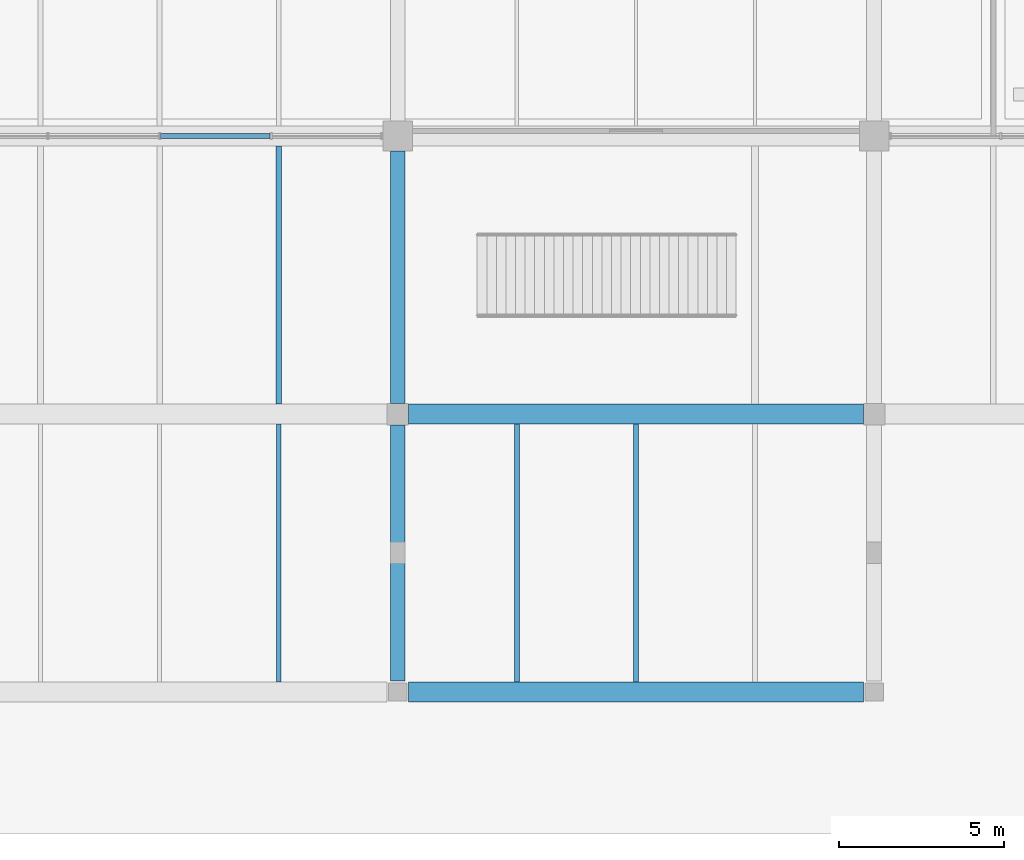
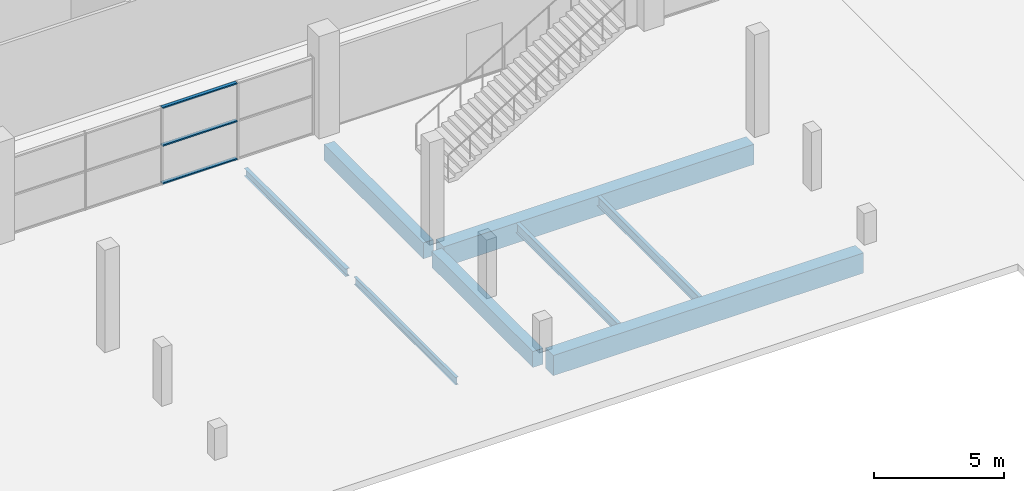
# One storey, part 46 of 130: 8 beams, 3 members, 1 element without a shape of its own.
"""IFC4 building model written with IfcOpenShell, lengths in metres."""

from ifc_helpers import new_model, si_unit, direction, frame, origin, origin_2d, place, context, subcontext, project, spatial, rectangle, hollow_rectangle, i_section, extrude, material, material_profile, profile_set, type_object, element, aggregate, save


model = new_model("IFC4")

# Units and contexts
model_context = context("Model", 3, precision=1e-05, world=origin(), true_north=direction((0.0, 1.0)))
body_context = subcontext(model_context, "Body", "Model", "MODEL_VIEW")
ifc_project = project(units=[si_unit("LENGTHUNIT", "METRE"), si_unit("AREAUNIT", "SQUARE_METRE"), si_unit("VOLUMEUNIT", "CUBIC_METRE"), si_unit("PLANEANGLEUNIT", "RADIAN"), si_unit("MASSUNIT", "GRAM", prefix="KILO"), si_unit("THERMODYNAMICTEMPERATUREUNIT", "KELVIN")], contexts=[model_context])

# Site, building, storey
site_placement = place(None, origin())
site = spatial("IfcSite", under=ifc_project, at=site_placement, CompositionType="ELEMENT")
building_placement = place(site_placement, origin())
building = spatial("IfcBuilding", under=site, at=building_placement, Name="Nduvali Passage Aquatics Centre", CompositionType="ELEMENT")
storey_placement = place(building_placement, origin())
storey = spatial("IfcBuildingStorey", under=building, at=storey_placement, Name="L00", CompositionType="ELEMENT", Elevation=0.0)

# Curtain wall, members
ifc_material_1 = material(Name="Aluminium EN AW-6063 T6", Category="aluminium")
curtain_wall_type = type_object("IfcCurtainWallType", Name="ENV-CW-HALL", PredefinedType="NOTDEFINED", material=ifc_material_1)
curtain_wall_placement = place(storey_placement, origin())
curtain_wall = element("IfcCurtainWall", 1, at=curtain_wall_placement, inside=storey, type_object=curtain_wall_type, Name="L00 North Pool Hall Hydro-Pool Screen 060", PredefinedType="NOTDEFINED")
ifc_material_profile_1 = material_profile(ifc_material_1, hollow_rectangle(XDim=0.14990234375, YDim=0.06005859375, WallThickness=0.00390625, at=origin_2d()), Name="ALU TRANSOM 150x60x4")
ifc_profile_set_1 = profile_set([ifc_material_profile_1], Name="Aluminium EN AW-6063 T6")
member_type = type_object("IfcMemberType", Name="ENV-MEM-TRN80", PredefinedType="USERDEFINED", material=ifc_profile_set_1)
member_1_placement = place(storey_placement, frame((61.22998046875, 92.39990234375, 0.030029296875), z_axis=(1.0, 0.0, 0.0), x_axis=(0.0, 1.0, 0.0)))
member_1 = element("IfcMember", 2, at=member_1_placement, type_object=member_type, Name="North Pool Hall Hydro-Pool Screen Transom B3-R0", ObjectType="TRANSOM", PredefinedType="USERDEFINED", context=body_context, shape_type="SweptSolid", body=[
    extrude(hollow_rectangle(XDim=0.14990234375, YDim=0.06005859375, WallThickness=0.00390625, at=origin_2d()), origin(), (0.0, 0.0, 1.0), 3.31494140625),
])
member_2_placement = place(storey_placement, frame((61.22998046875, 92.39990234375, 1.802734375), z_axis=(1.0, 0.0, 0.0), x_axis=(0.0, 1.0, 0.0)))
member_2 = element("IfcMember", 3, at=member_2_placement, type_object=member_type, Name="North Pool Hall Hydro-Pool Screen Transom B3-R1", ObjectType="TRANSOM", PredefinedType="USERDEFINED", context=body_context, shape_type="SweptSolid", body=[
    extrude(hollow_rectangle(XDim=0.14990234375, YDim=0.06005859375, WallThickness=0.00390625, at=origin_2d()), origin(), (0.0, 0.0, 1.0), 3.31494140625),
])
member_3_placement = place(storey_placement, frame((61.22998046875, 92.39990234375, 3.57568359375), z_axis=(1.0, 0.0, 0.0), x_axis=(0.0, 1.0, 0.0)))
member_3 = element("IfcMember", 4, at=member_3_placement, type_object=member_type, Name="North Pool Hall Hydro-Pool Screen Transom B3-R2", ObjectType="TRANSOM", PredefinedType="USERDEFINED", context=body_context, shape_type="SweptSolid", body=[
    extrude(hollow_rectangle(XDim=0.14990234375, YDim=0.06005859375, WallThickness=0.00390625, at=origin_2d()), origin(), (0.0, 0.0, 1.0), 3.31494140625),
])
aggregate(curtain_wall, [member_1, member_2, member_3])

# Beams
ifc_material_2 = material(Name="Concrete C40/50", Category="concrete")
ifc_material_profile_2 = material_profile(ifc_material_2, rectangle(XDim=0.449951171875, YDim=0.75, at=origin_2d()), Name="RC 450x750")
ifc_profile_set_2 = profile_set([ifc_material_profile_2], Name="Concrete C40/50")
beam_type_1 = type_object("IfcBeamType", Name="STR-BM-RC4575", PredefinedType="BEAM", material=ifc_profile_set_2)
beam_1_placement = place(storey_placement, frame((68.39990234375, 75.925048828125, -0.695068359375), z_axis=(0.0, 1.0, 0.0), x_axis=(-1.0, 0.0, 0.0)))
element("IfcBeam", 5, at=beam_1_placement, inside=storey, type_object=beam_type_1, Name="L00 Primary Y-Girder B3-0156", PredefinedType="BEAM", context=body_context, shape_type="SweptSolid", body=[
    extrude(rectangle(XDim=0.449951171875, YDim=0.75, at=origin_2d()), origin(), (0.0, 0.0, 1.0), 7.75),
])
beam_2_placement = place(storey_placement, frame((68.39990234375, 84.324951171875, -0.695068359375), z_axis=(0.0, 1.0, 0.0), x_axis=(-1.0, 0.0, 0.0)))
element("IfcBeam", 6, at=beam_2_placement, inside=storey, type_object=beam_type_1, Name="L00 Primary Y-Girder B3-0157", PredefinedType="BEAM", context=body_context, shape_type="SweptSolid", body=[
    extrude(rectangle(XDim=0.449951171875, YDim=0.75, at=origin_2d()), origin(), (0.0, 0.0, 1.0), 7.625),
])
ifc_material_profile_3 = material_profile(ifc_material_2, rectangle(XDim=0.60009765625, YDim=0.949951171875, at=origin_2d()), Name="RC 600x950")
ifc_profile_set_3 = profile_set([ifc_material_profile_3], Name="Concrete C40/50")
beam_type_2 = type_object("IfcBeamType", Name="STR-BM-RC6095", PredefinedType="BEAM", material=ifc_profile_set_3)
for number, where, z_axis, x_axis, name in (
    (7, (68.72509765625, 75.60009765625, -0.794921875), (1.0, 0.0, 0.0), (0.0, 1.0, 0.0), "L00 Primary X-Girder B1-0068"),
    (8, (68.72509765625, 84.0, -0.794921875), (1.0, 0.0, 0.0), (0.0, 1.0, 0.0), "L00 Primary X-Girder B1-0078"),
):
    element("IfcBeam", number, at=place(storey_placement, frame(where, z_axis=z_axis, x_axis=x_axis)), inside=storey, type_object=beam_type_2, Name=name, PredefinedType="BEAM", context=body_context, shape_type="SweptSolid", body=[
        extrude(rectangle(XDim=0.60009765625, YDim=0.949951171875, at=origin_2d()), origin(), (0.0, 0.0, 1.0), 13.75),
    ])
ifc_material_3 = material(Name="Steel S355", Category="steel")
ifc_material_profile_4 = material_profile(ifc_material_3, i_section(OverallWidth=0.169921875, OverallDepth=0.360107421875, WebThickness=0.008056640625, FlangeThickness=0.0126953125, FilletRadius=0.01806640625, at=origin_2d()), Name="IPE 360")
ifc_profile_set_4 = profile_set([ifc_material_profile_4], Name="Steel S355")
beam_type_3 = type_object("IfcBeamType", Name="STR-JST-IPE360", PredefinedType="JOIST", material=ifc_profile_set_4)
beam_3_placement = place(storey_placement, frame((64.800048828125, 84.300048828125, -0.50390625), z_axis=(0.0, 1.0, 0.0), x_axis=(-1.0, 0.0, 0.0)))
element("IfcBeam", 9, at=beam_3_placement, inside=storey, type_object=beam_type_3, Name="L00 Secondary Joist J6-0383", PredefinedType="JOIST", context=body_context, shape_type="SweptSolid", body=[
    extrude(i_section(OverallWidth=0.169921875, OverallDepth=0.360107421875, WebThickness=0.008056640625, FlangeThickness=0.0126953125, FilletRadius=0.01806640625, at=origin_2d()), origin(), (0.0, 0.0, 1.0), 7.800048828125),
])
ifc_material_profile_5 = material_profile(ifc_material_3, i_section(OverallWidth=0.1259765625, OverallDepth=0.353515625, WebThickness=0.006591796875, FlangeThickness=0.0107421875, FilletRadius=0.01025390625, at=origin_2d()), Name="UKB 356x127x39")
ifc_profile_set_5 = profile_set([ifc_material_profile_5], Name="Steel S355")
beam_type_4 = type_object("IfcBeamType", Name="STR-JST-UKB356L", PredefinedType="JOIST", material=ifc_profile_set_5)
beam_4_placement = place(storey_placement, frame((64.800048828125, 75.89990234375, -0.500732421875), z_axis=(0.0, 1.0, 0.0), x_axis=(-1.0, 0.0, 0.0)))
element("IfcBeam", 10, at=beam_4_placement, inside=storey, type_object=beam_type_4, Name="L00 Secondary Joist J2A-0369", PredefinedType="JOIST", context=body_context, shape_type="SweptSolid", body=[
    extrude(i_section(OverallWidth=0.1259765625, OverallDepth=0.353515625, WebThickness=0.006591796875, FlangeThickness=0.0107421875, FilletRadius=0.01025390625, at=origin_2d()), origin(), (0.0, 0.0, 1.0), 7.800048828125),
])
ifc_material_profile_6 = material_profile(ifc_material_3, i_section(OverallWidth=0.15283203125, OverallDepth=0.45458984375, WebThickness=0.008056640625, FlangeThickness=0.01318359375, FilletRadius=0.01025390625, at=origin_2d()), Name="UKB 457x152x60")
ifc_profile_set_6 = profile_set([ifc_material_profile_6], Name="Steel S355")
beam_type_5 = type_object("IfcBeamType", Name="STR-JST-UKB457L", PredefinedType="JOIST", material=ifc_profile_set_6)
for number, where, z_axis, x_axis, name in (
    (11, (72.0, 75.89990234375, -0.55126953125), (0.0, 1.0, 0.0), (-1.0, 0.0, 0.0), "L00 Secondary Joist J1A-0370"),
    (12, (75.60009765625, 75.89990234375, -0.55126953125), (0.0, 1.0, 0.0), (-1.0, 0.0, 0.0), "L00 Secondary Joist J1A-0371"),
):
    element("IfcBeam", number, at=place(storey_placement, frame(where, z_axis=z_axis, x_axis=x_axis)), inside=storey, type_object=beam_type_5, Name=name, PredefinedType="JOIST", context=body_context, shape_type="SweptSolid", body=[
        extrude(i_section(OverallWidth=0.15283203125, OverallDepth=0.45458984375, WebThickness=0.008056640625, FlangeThickness=0.01318359375, FilletRadius=0.01025390625, at=origin_2d()), origin(), (0.0, 0.0, 1.0), 7.800048828125),
    ])

save(model, "model.ifc")
